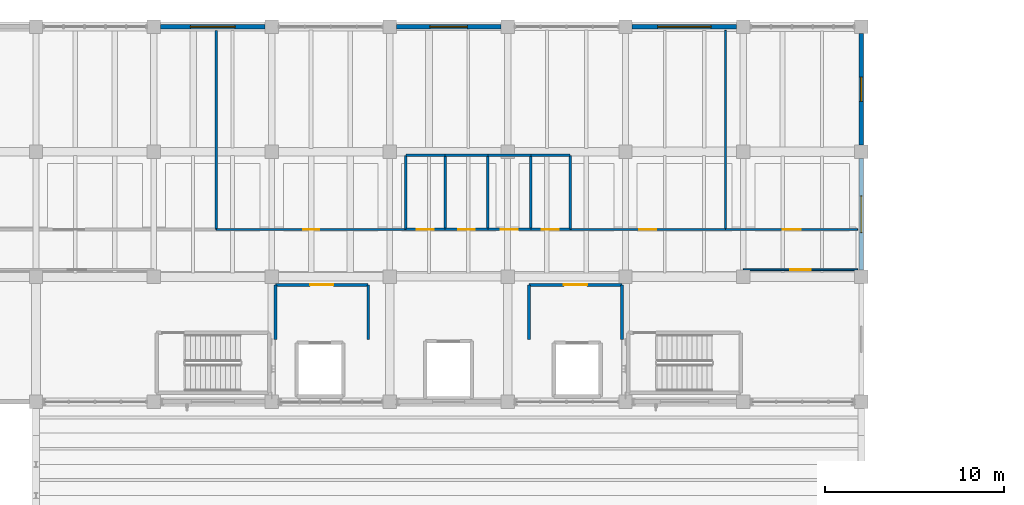
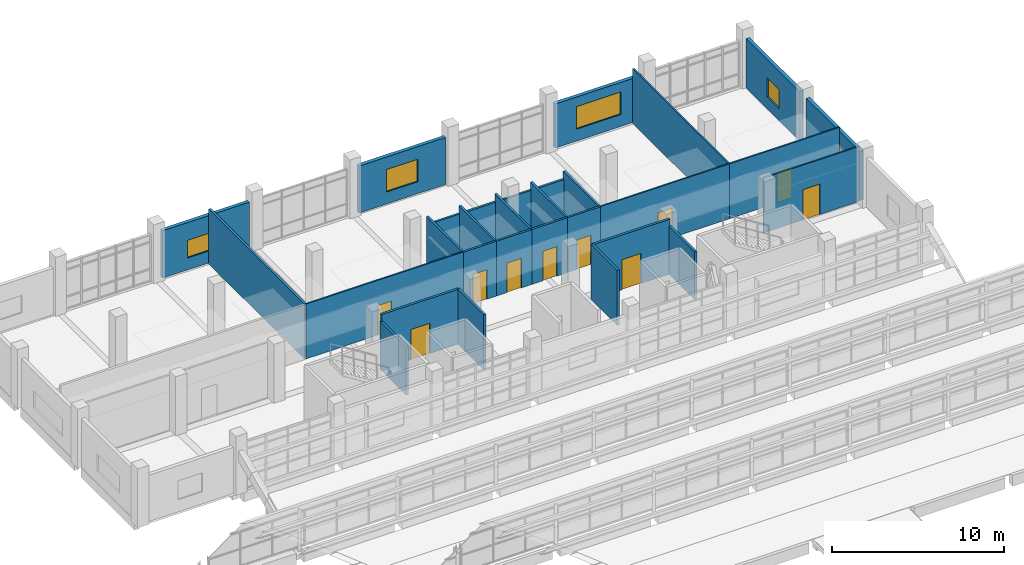
# One storey, part 88 of 92: 30 walls, 10 doors, 5 windows, 15 openings.
"""IFC4 building model written with IfcOpenShell, lengths in metres."""

from ifc_helpers import new_model, si_unit, direction, frame, frame_2d, origin, place, context, subcontext, project, spatial, rectangle, extrude, material, layer, layer_set, type_object, element, fill, save


model = new_model("IFC4")

# Units and contexts
model_context = context("Model", 3, precision=1e-05, world=origin(), true_north=direction((0.0, 1.0)))
body_context = subcontext(model_context, "Body", "Model", "MODEL_VIEW")
ifc_project = project(units=[si_unit("LENGTHUNIT", "METRE"), si_unit("AREAUNIT", "SQUARE_METRE"), si_unit("VOLUMEUNIT", "CUBIC_METRE"), si_unit("PLANEANGLEUNIT", "RADIAN"), si_unit("MASSUNIT", "GRAM", prefix="KILO")], contexts=[model_context])

# Site, building, storey
site_placement = place(None, origin())
site = spatial("IfcSite", under=ifc_project, at=site_placement, CompositionType="ELEMENT")
building_placement = place(site_placement, origin())
building = spatial("IfcBuilding", under=site, at=building_placement, Name="Ciguamira Faculty of Natural Sciences", CompositionType="ELEMENT")
storey_placement = place(building_placement, frame((0.0, 0.0, 16.800048828125)))
storey = spatial("IfcBuildingStorey", under=building, at=storey_placement, Name="L04", CompositionType="ELEMENT", Elevation=16.800048828125)

# Wall, opening, window
ifc_material_1 = material(Name="Precast concrete C40/50", Category="concrete")
ifc_layer_1 = layer(ifc_material_1, 0.239990234375, Name="Precast concrete C40/50")
ifc_layer_set_1 = layer_set([ifc_layer_1], Name="Precast concrete C40/50")
wall_type_1 = type_object("IfcWallType", Name="ExtWall_EW-02_240", PredefinedType="SOLIDWALL", material=ifc_layer_set_1)
wall_1_placement = place(storey_placement, frame((70.875, 115.0, 0.0), z_axis=(0.0, 0.0, 1.0), x_axis=(1.0, 0.0, 0.0)))
wall_1 = element("IfcWall", 1, at=wall_1_placement, inside=storey, type_object=wall_type_1, Name="L04 exterior wall 0322", PredefinedType="SOLIDWALL", context=body_context, shape_type="SweptSolid", body=[
    extrude(rectangle(XDim=5.85009765625, YDim=0.239990234375, at=frame_2d((2.925048828125, 0.0))), origin(), (0.0, 0.0, 1.0), 3.364990234375),
])
opening_1_placement = place(wall_1_placement, frame((1.675048828125, 0.0, 0.85009765625)))
opening_1 = element("IfcOpeningElement", 2, at=opening_1_placement, cuts=wall_1, Name="Opening WT-19", PredefinedType="OPENING", context=body_context, shape_type="SweptSolid", body=[
    extrude(rectangle(XDim=2.5, YDim=1.25, at=frame_2d((1.25, 0.625))), frame((0.0, 0.1298828125, 0.0), z_axis=(0.0, -1.0, 0.0), x_axis=(1.0, 0.0, 0.0)), (0.0, 0.0, 1.0), 0.260009765625),
])
ifc_material_2 = material(Name="Hurricane laminated solar glass", Category="glass")
window_type_1 = type_object("IfcWindowType", Name="Window_WT-19_2500x1250", PartitioningType="DOUBLE_PANEL_VERTICAL", PredefinedType="WINDOW", material=ifc_material_2)
window_1_placement = place(opening_1_placement, origin())
window_1 = element("IfcWindow", 3, at=window_1_placement, inside=storey, type_object=window_type_1, Name="L04 facade window 0216", OverallHeight=1.25, OverallWidth=2.5, PartitioningType="SINGLE_PANEL", PredefinedType="WINDOW", context=body_context, shape_type="SweptSolid", body=[
    extrude(rectangle(XDim=2.5, YDim=1.25, at=frame_2d((1.25, 0.625))), frame((0.0, 0.030029296875, 0.0), z_axis=(0.0, -1.0, 0.0), x_axis=(1.0, 0.0, 0.0)), (0.0, 0.0, 1.0), 0.06005859375),
])
fill(opening_1, window_1)

wall_2_placement = place(storey_placement, frame((84.074951171875, 115.0, 0.0), z_axis=(0.0, 0.0, 1.0), x_axis=(1.0, 0.0, 0.0)))
wall_2 = element("IfcWall", 4, at=wall_2_placement, inside=storey, type_object=wall_type_1, Name="L04 exterior wall 0323", PredefinedType="SOLIDWALL", context=body_context, shape_type="SweptSolid", body=[
    extrude(rectangle(XDim=5.85009765625, YDim=0.239990234375, at=frame_2d((2.925048828125, 0.0))), origin(), (0.0, 0.0, 1.0), 3.344970703125),
])
opening_2_placement = place(wall_2_placement, frame((1.875, 0.0, 0.85009765625)))
opening_2 = element("IfcOpeningElement", 5, at=opening_2_placement, cuts=wall_2, Name="Opening WT-22", PredefinedType="OPENING", context=body_context, shape_type="SweptSolid", body=[
    extrude(rectangle(XDim=2.10009765625, YDim=1.60009765625, at=frame_2d((1.050048828125, 0.800048828125))), frame((0.0, 0.1298828125, 0.0), z_axis=(0.0, -1.0, 0.0), x_axis=(1.0, 0.0, 0.0)), (0.0, 0.0, 1.0), 0.260009765625),
])
window_type_2 = type_object("IfcWindowType", Name="Window_WT-22_2100x1600", PartitioningType="DOUBLE_PANEL_VERTICAL", PredefinedType="WINDOW", material=ifc_material_2)
window_2_placement = place(opening_2_placement, origin())
window_2 = element("IfcWindow", 6, at=window_2_placement, inside=storey, type_object=window_type_2, Name="L04 facade window 0217", OverallHeight=1.60009765625, OverallWidth=2.10009765625, PartitioningType="SINGLE_PANEL", PredefinedType="WINDOW", context=body_context, shape_type="SweptSolid", body=[
    extrude(rectangle(XDim=2.10009765625, YDim=1.60009765625, at=frame_2d((1.050048828125, 0.800048828125))), frame((0.0, 0.030029296875, 0.0), z_axis=(0.0, -1.0, 0.0), x_axis=(1.0, 0.0, 0.0)), (0.0, 0.0, 1.0), 0.06005859375),
])
fill(opening_2, window_2)

wall_3_placement = place(storey_placement, frame((97.27490234375, 115.0, 0.0), z_axis=(0.0, 0.0, 1.0), x_axis=(1.0, 0.0, 0.0)))
wall_3 = element("IfcWall", 7, at=wall_3_placement, inside=storey, type_object=wall_type_1, Name="L04 exterior wall 0324", PredefinedType="SOLIDWALL", context=body_context, shape_type="SweptSolid", body=[
    extrude(rectangle(XDim=5.85009765625, YDim=0.239990234375, at=frame_2d((2.925048828125, 0.0))), origin(), (0.0, 0.0, 1.0), 3.135009765625),
])
opening_3_placement = place(wall_3_placement, frame((1.425048828125, 0.0, 0.85009765625)))
opening_3 = element("IfcOpeningElement", 8, at=opening_3_placement, cuts=wall_3, Name="Opening WT-25", PredefinedType="OPENING", context=body_context, shape_type="SweptSolid", body=[
    extrude(rectangle(XDim=3.0, YDim=1.60009765625, at=frame_2d((1.5, 0.800048828125))), frame((0.0, 0.1298828125, 0.0), z_axis=(0.0, -1.0, 0.0), x_axis=(1.0, 0.0, 0.0)), (0.0, 0.0, 1.0), 0.260009765625),
])
window_type_3 = type_object("IfcWindowType", Name="Window_WT-25_3000x1600", PartitioningType="DOUBLE_PANEL_VERTICAL", PredefinedType="WINDOW", material=ifc_material_2)
window_3_placement = place(opening_3_placement, origin())
window_3 = element("IfcWindow", 9, at=window_3_placement, inside=storey, type_object=window_type_3, Name="L04 facade window 0218", OverallHeight=1.60009765625, OverallWidth=3.0, PartitioningType="SINGLE_PANEL", PredefinedType="WINDOW", context=body_context, shape_type="SweptSolid", body=[
    extrude(rectangle(XDim=3.0, YDim=1.60009765625, at=frame_2d((1.5, 0.800048828125))), frame((0.0, 0.030029296875, 0.0), z_axis=(0.0, -1.0, 0.0), x_axis=(1.0, 0.0, 0.0)), (0.0, 0.0, 1.0), 0.06005859375),
])
fill(opening_3, window_3)

wall_4_placement = place(storey_placement, frame((110.10009765625, 101.375, 0.0), z_axis=(0.0, 0.0, 1.0), x_axis=(0.0, 1.0, 0.0)))
wall_4 = element("IfcWall", 10, at=wall_4_placement, inside=storey, type_object=wall_type_1, Name="L04 exterior wall 0331", PredefinedType="SOLIDWALL", context=body_context, shape_type="SweptSolid", body=[
    extrude(rectangle(XDim=6.25, YDim=0.239990234375, at=frame_2d((3.125, 0.0))), origin(), (0.0, 0.0, 1.0), 3.5048828125),
])
opening_4_placement = place(wall_4_placement, frame((2.10009765625, 0.0, 0.85009765625)))
opening_4 = element("IfcOpeningElement", 11, at=opening_4_placement, cuts=wall_4, Name="Opening WT-40", PredefinedType="OPENING", context=body_context, shape_type="SweptSolid", body=[
    extrude(rectangle(XDim=2.050048828125, YDim=1.550048828125, at=frame_2d((1.02490234375, 0.77490234375))), frame((0.0, 0.1298828125, 0.0), z_axis=(0.0, -1.0, 0.0), x_axis=(1.0, 0.0, 0.0)), (0.0, 0.0, 1.0), 0.260009765625),
])
window_type_4 = type_object("IfcWindowType", Name="Window_WT-40_2050x1550", PartitioningType="DOUBLE_PANEL_VERTICAL", PredefinedType="WINDOW", material=ifc_material_2)
window_4_placement = place(opening_4_placement, origin())
window_4 = element("IfcWindow", 12, at=window_4_placement, inside=storey, type_object=window_type_4, Name="L04 facade window 0223", OverallHeight=1.550048828125, OverallWidth=2.050048828125, PartitioningType="SINGLE_PANEL", PredefinedType="WINDOW", context=body_context, shape_type="SweptSolid", body=[
    extrude(rectangle(XDim=2.050048828125, YDim=1.550048828125, at=frame_2d((1.02490234375, 0.77490234375))), frame((0.0, 0.030029296875, 0.0), z_axis=(0.0, -1.0, 0.0), x_axis=(1.0, 0.0, 0.0)), (0.0, 0.0, 1.0), 0.06005859375),
])
fill(opening_4, window_4)

wall_5_placement = place(storey_placement, frame((110.10009765625, 108.375, 0.0), z_axis=(0.0, 0.0, 1.0), x_axis=(0.0, 1.0, 0.0)))
wall_5 = element("IfcWall", 13, at=wall_5_placement, inside=storey, type_object=wall_type_1, Name="L04 exterior wall 0332", PredefinedType="SOLIDWALL", context=body_context, shape_type="SweptSolid", body=[
    extrude(rectangle(XDim=6.25, YDim=0.239990234375, at=frame_2d((3.125, 0.0))), origin(), (0.0, 0.0, 1.0), 3.5048828125),
])
opening_5_placement = place(wall_5_placement, frame((2.449951171875, 0.0, 0.85009765625)))
opening_5 = element("IfcOpeningElement", 14, at=opening_5_placement, cuts=wall_5, Name="Opening WT-02", PredefinedType="OPENING", context=body_context, shape_type="SweptSolid", body=[
    extrude(rectangle(XDim=1.35009765625, YDim=1.35009765625, at=frame_2d((0.675048828125, 0.675048828125))), frame((0.0, 0.1298828125, 0.0), z_axis=(0.0, -1.0, 0.0), x_axis=(1.0, 0.0, 0.0)), (0.0, 0.0, 1.0), 0.260009765625),
])
window_type_5 = type_object("IfcWindowType", Name="Window_WT-02_1350x1350", PartitioningType="DOUBLE_PANEL_VERTICAL", PredefinedType="WINDOW", material=ifc_material_2)
window_5_placement = place(opening_5_placement, origin())
window_5 = element("IfcWindow", 15, at=window_5_placement, inside=storey, type_object=window_type_5, Name="L04 facade window 0224", OverallHeight=1.35009765625, OverallWidth=1.35009765625, PartitioningType="SINGLE_PANEL", PredefinedType="WINDOW", context=body_context, shape_type="SweptSolid", body=[
    extrude(rectangle(XDim=1.35009765625, YDim=1.35009765625, at=frame_2d((0.675048828125, 0.675048828125))), frame((0.0, 0.030029296875, 0.0), z_axis=(0.0, -1.0, 0.0), x_axis=(1.0, 0.0, 0.0)), (0.0, 0.0, 1.0), 0.06005859375),
])
fill(opening_5, window_5)

# Wall, opening, door
ifc_material_3 = material(Name="Fire-rated gypsum partition")
ifc_layer_2 = layer(ifc_material_3, 0.10009765625, Name="Fire-rated gypsum partition")
ifc_layer_set_2 = layer_set([ifc_layer_2], Name="Fire-rated gypsum partition")
wall_type_2 = type_object("IfcWallType", Name="IntWall_IW-A10_100", PredefinedType="PARTITIONING", material=ifc_layer_set_2)
wall_6_placement = place(storey_placement, frame((74.0, 103.64990234375, 0.0), z_axis=(0.0, 0.0, 1.0), x_axis=(1.0, 0.0, 0.0)))
wall_6 = element("IfcWall", 16, at=wall_6_placement, inside=storey, type_object=wall_type_2, Name="L04 X-Ray Diffraction Instrument Room partition south", PredefinedType="PARTITIONING", context=body_context, shape_type="SweptSolid", body=[
    extrude(rectangle(XDim=10.60009765625, YDim=0.10009765625, at=frame_2d((5.300048828125, 0.0))), origin(), (0.0, 0.0, 1.0), 3.89990234375),
])
opening_6_placement = place(wall_6_placement, frame((4.85009765625, 0.0, 0.0)))
opening_6 = element("IfcOpeningElement", 17, at=opening_6_placement, cuts=wall_6, Name="Opening ID-01", PredefinedType="OPENING", context=body_context, shape_type="SweptSolid", body=[
    extrude(rectangle(XDim=0.89990234375, YDim=2.10009765625, at=frame_2d((0.449951171875, 1.050048828125))), frame((0.0, 0.06005859375, 0.0), z_axis=(0.0, -1.0, 0.0), x_axis=(1.0, 0.0, 0.0)), (0.0, 0.0, 1.0), 0.1201171875),
])
ifc_material_4 = material(Name="Single timber office door", Category="wood")
door_type_1 = type_object("IfcDoorType", Name="IntDoor_ID-01_900x2100", OperationType="NOTDEFINED", PredefinedType="DOOR", material=ifc_material_4)
door_1_placement = place(opening_6_placement, origin())
door_1 = element("IfcDoor", 18, at=door_1_placement, inside=storey, type_object=door_type_1, Name="L04 X-Ray Diffraction Instrument Room door", OperationType="SINGLE_SWING_RIGHT", OverallHeight=2.10009765625, OverallWidth=0.89990234375, PredefinedType="DOOR", context=body_context, shape_type="SweptSolid", body=[
    extrude(rectangle(XDim=0.89990234375, YDim=2.10009765625, at=frame_2d((0.449951171875, 1.050048828125))), frame((0.0, 0.02490234375, 0.0), z_axis=(0.0, -1.0, 0.0), x_axis=(1.0, 0.0, 0.0)), (0.0, 0.0, 1.0), 0.050048828125),
])
fill(opening_6, door_1)

wall_7_placement = place(storey_placement, frame((93.800048828125, 103.64990234375, 0.0), z_axis=(0.0, 0.0, 1.0), x_axis=(1.0, 0.0, 0.0)))
wall_7 = element("IfcWall", 19, at=wall_7_placement, inside=storey, type_object=wall_type_2, Name="L04 Geophysics Modelling Studio partition south", PredefinedType="PARTITIONING", context=body_context, shape_type="SweptSolid", body=[
    extrude(rectangle(XDim=8.699951171875, YDim=0.10009765625, at=frame_2d((4.35009765625, 0.0))), origin(), (0.0, 0.0, 1.0), 3.89990234375),
])
opening_7_placement = place(wall_7_placement, frame((3.875, 0.0, 0.0)))
opening_7 = element("IfcOpeningElement", 20, at=opening_7_placement, cuts=wall_7, Name="Opening ID-02", PredefinedType="OPENING", context=body_context, shape_type="SweptSolid", body=[
    extrude(rectangle(XDim=0.949951171875, YDim=2.10009765625, at=frame_2d((0.47509765625, 1.050048828125))), frame((0.0, 0.06005859375, 0.0), z_axis=(0.0, -1.0, 0.0), x_axis=(1.0, 0.0, 0.0)), (0.0, 0.0, 1.0), 0.1201171875),
])
ifc_material_5 = material(Name="Accessible WC outward-clear door")
door_type_2 = type_object("IfcDoorType", Name="IntDoor_ID-02_950x2100", OperationType="NOTDEFINED", PredefinedType="DOOR", material=ifc_material_5)
door_2_placement = place(opening_7_placement, origin())
door_2 = element("IfcDoor", 21, at=door_2_placement, inside=storey, type_object=door_type_2, Name="L04 Geophysics Modelling Studio door", OperationType="SINGLE_SWING_LEFT", OverallHeight=2.10009765625, OverallWidth=0.949951171875, PredefinedType="DOOR", context=body_context, shape_type="SweptSolid", body=[
    extrude(rectangle(XDim=0.949951171875, YDim=2.10009765625, at=frame_2d((0.47509765625, 1.050048828125))), frame((0.0, 0.02490234375, 0.0), z_axis=(0.0, -1.0, 0.0), x_axis=(1.0, 0.0, 0.0)), (0.0, 0.0, 1.0), 0.050048828125),
])
fill(opening_7, door_2)

# Wall
wall_8_placement = place(storey_placement, frame((102.5, 103.64990234375, 0.0), z_axis=(0.0, 0.0, 1.0), x_axis=(0.0, 1.0, 0.0)))
element("IfcWall", 22, at=wall_8_placement, inside=storey, type_object=wall_type_2, Name="L04 Geophysics Modelling Studio partition east", PredefinedType="PARTITIONING", context=body_context, shape_type="SweptSolid", body=[
    extrude(rectangle(XDim=11.150146484375, YDim=0.10009765625, at=frame_2d((5.5751953125, 0.0))), origin(), (0.0, 0.0, 1.0), 3.89990234375),
])

# Wall, opening, door
wall_9_placement = place(storey_placement, frame((102.5, 103.64990234375, 0.0), z_axis=(0.0, 0.0, 1.0), x_axis=(1.0, 0.0, 0.0)))
wall_9 = element("IfcWall", 23, at=wall_9_placement, inside=storey, type_object=wall_type_2, Name="L04 Earth Sciences Academic Staff Offices partition south", PredefinedType="PARTITIONING", context=body_context, shape_type="SweptSolid", body=[
    extrude(rectangle(XDim=7.39990234375, YDim=0.10009765625, at=frame_2d((3.699951171875, 0.0))), origin(), (0.0, 0.0, 1.0), 3.89990234375),
])
opening_8_placement = place(wall_9_placement, frame((3.199951171875, 0.0, 0.0)))
opening_8 = element("IfcOpeningElement", 24, at=opening_8_placement, cuts=wall_9, Name="Opening ID-03", PredefinedType="OPENING", context=body_context, shape_type="SweptSolid", body=[
    extrude(rectangle(XDim=1.0, YDim=2.10009765625, at=frame_2d((0.5, 1.050048828125))), frame((0.0, 0.06005859375, 0.0), z_axis=(0.0, -1.0, 0.0), x_axis=(1.0, 0.0, 0.0)), (0.0, 0.0, 1.0), 0.1201171875),
])
ifc_material_6 = material(Name="Restroom lobby fire door")
door_type_3 = type_object("IfcDoorType", Name="IntDoor_ID-03_1000x2100", OperationType="NOTDEFINED", PredefinedType="DOOR", material=ifc_material_6)
door_3_placement = place(opening_8_placement, origin())
door_3 = element("IfcDoor", 25, at=door_3_placement, inside=storey, type_object=door_type_3, Name="L04 Earth Sciences Academic Staff Offices door", OperationType="SINGLE_SWING_RIGHT", OverallHeight=2.10009765625, OverallWidth=1.0, PredefinedType="DOOR", context=body_context, shape_type="SweptSolid", body=[
    extrude(rectangle(XDim=1.0, YDim=2.10009765625, at=frame_2d((0.5, 1.050048828125))), frame((0.0, 0.02490234375, 0.0), z_axis=(0.0, -1.0, 0.0), x_axis=(1.0, 0.0, 0.0)), (0.0, 0.0, 1.0), 0.050048828125),
])
fill(opening_8, door_3)

wall_10_placement = place(storey_placement, frame((103.5, 101.39990234375, 0.0), z_axis=(0.0, 0.0, 1.0), x_axis=(1.0, 0.0, 0.0)))
wall_10 = element("IfcWall", 26, at=wall_10_placement, inside=storey, type_object=wall_type_2, Name="L04 Cartographic GIS Office partition north", PredefinedType="PARTITIONING", context=body_context, shape_type="SweptSolid", body=[
    extrude(rectangle(XDim=6.39990234375, YDim=0.10009765625, at=frame_2d((3.199951171875, 0.0))), origin(), (0.0, 0.0, 1.0), 3.89990234375),
])
opening_9_placement = place(wall_10_placement, frame((2.625, 0.0, 0.0)))
opening_9 = element("IfcOpeningElement", 27, at=opening_9_placement, cuts=wall_10, Name="Opening ID-05", PredefinedType="OPENING", context=body_context, shape_type="SweptSolid", body=[
    extrude(rectangle(XDim=1.14990234375, YDim=2.14990234375, at=frame_2d((0.574951171875, 1.074951171875))), frame((0.0, 0.06005859375, 0.0), z_axis=(0.0, -1.0, 0.0), x_axis=(1.0, 0.0, 0.0)), (0.0, 0.0, 1.0), 0.1201171875),
])
ifc_material_7 = material(Name="Research office wide door")
door_type_4 = type_object("IfcDoorType", Name="IntDoor_ID-05_1150x2150", OperationType="NOTDEFINED", PredefinedType="DOOR", material=ifc_material_7)
door_4_placement = place(opening_9_placement, frame((1.14990234375, 0.0, 0.0), z_axis=(0.0, 0.0, 1.0), x_axis=(-1.0, 0.0, 0.0)))
door_4 = element("IfcDoor", 28, at=door_4_placement, inside=storey, type_object=door_type_4, Name="L04 Cartographic GIS Office door", OperationType="SINGLE_SWING_RIGHT", OverallHeight=2.14990234375, OverallWidth=1.14990234375, PredefinedType="DOOR", context=body_context, shape_type="SweptSolid", body=[
    extrude(rectangle(XDim=1.14990234375, YDim=2.14990234375, at=frame_2d((0.574951171875, 1.074951171875))), frame((0.0, 0.02490234375, 0.0), z_axis=(0.0, -1.0, 0.0), x_axis=(1.0, 0.0, 0.0)), (0.0, 0.0, 1.0), 0.050048828125),
])
fill(opening_9, door_4)

ifc_material_8 = material(Name="Fire-rated blockwork wall", Category="masonry")
ifc_layer_3 = layer(ifc_material_8, 0.159912109375, Name="Fire-rated blockwork wall")
ifc_layer_set_3 = layer_set([ifc_layer_3], Name="Fire-rated blockwork wall")
wall_type_3 = type_object("IfcWallType", Name="IntWall_IW-F16_160", PredefinedType="SOLIDWALL", material=ifc_layer_set_3)
wall_11_placement = place(storey_placement, frame((77.300048828125, 100.550048828125, 0.0), z_axis=(0.0, 0.0, 1.0), x_axis=(1.0, 0.0, 0.0)))
wall_11 = element("IfcWall", 29, at=wall_11_placement, inside=storey, type_object=wall_type_3, Name="L04 Firefighting Lift Lobby 1 partition north", PredefinedType="SOLIDWALL", context=body_context, shape_type="SweptSolid", body=[
    extrude(rectangle(XDim=5.199951171875, YDim=0.159912109375, at=frame_2d((2.60009765625, 0.0))), origin(), (0.0, 0.0, 1.0), 3.89990234375),
])
opening_10_placement = place(wall_11_placement, frame((1.949951171875, 0.0, 0.0)))
opening_10 = element("IfcOpeningElement", 30, at=opening_10_placement, cuts=wall_11, Name="Opening ID-15", PredefinedType="OPENING", context=body_context, shape_type="SweptSolid", body=[
    extrude(rectangle(XDim=1.300048828125, YDim=2.14990234375, at=frame_2d((0.64990234375, 1.074951171875))), frame((0.0, 0.08984375, 0.0), z_axis=(0.0, -1.0, 0.0), x_axis=(1.0, 0.0, 0.0)), (0.0, 0.0, 1.0), 0.179931640625),
])
ifc_material_9 = material(Name="Firefighting lift lobby fire door")
door_type_5 = type_object("IfcDoorType", Name="IntDoor_ID-15_1300x2150", OperationType="NOTDEFINED", PredefinedType="DOOR", material=ifc_material_9)
door_5_placement = place(opening_10_placement, frame((1.300048828125, 0.0, 0.0), z_axis=(0.0, 0.0, 1.0), x_axis=(-1.0, 0.0, 0.0)))
door_5 = element("IfcDoor", 31, at=door_5_placement, inside=storey, type_object=door_type_5, Name="L04 Firefighting Lift Lobby 1 door", OperationType="SINGLE_SWING_LEFT", OverallHeight=2.14990234375, OverallWidth=1.300048828125, PredefinedType="DOOR", context=body_context, shape_type="SweptSolid", body=[
    extrude(rectangle(XDim=1.300048828125, YDim=2.14990234375, at=frame_2d((0.64990234375, 1.074951171875))), frame((0.0, 0.02490234375, 0.0), z_axis=(0.0, -1.0, 0.0), x_axis=(1.0, 0.0, 0.0)), (0.0, 0.0, 1.0), 0.050048828125),
])
fill(opening_10, door_5)

# Walls
wall_12_placement = place(storey_placement, frame((77.300048828125, 97.5, 0.0), z_axis=(0.0, 0.0, 1.0), x_axis=(0.0, 1.0, 0.0)))
element("IfcWall", 32, at=wall_12_placement, inside=storey, type_object=wall_type_3, Name="L04 Firefighting Lift Lobby 1 partition west", PredefinedType="SOLIDWALL", context=body_context, shape_type="SweptSolid", body=[
    extrude(rectangle(XDim=3.050048828125, YDim=0.159912109375, at=frame_2d((1.52490234375, 0.0))), origin(), (0.0, 0.0, 1.0), 3.405029296875),
])
wall_13_placement = place(storey_placement, frame((82.5, 97.5, 0.0), z_axis=(0.0, 0.0, 1.0), x_axis=(0.0, 1.0, 0.0)))
element("IfcWall", 33, at=wall_13_placement, inside=storey, type_object=wall_type_3, Name="L04 Firefighting Lift Lobby 1 partition east", PredefinedType="SOLIDWALL", context=body_context, shape_type="SweptSolid", body=[
    extrude(rectangle(XDim=3.050048828125, YDim=0.159912109375, at=frame_2d((1.52490234375, 0.0))), origin(), (0.0, 0.0, 1.0), 3.89990234375),
])

# Wall, opening, door
wall_14_placement = place(storey_placement, frame((91.5, 100.550048828125, 0.0), z_axis=(0.0, 0.0, 1.0), x_axis=(1.0, 0.0, 0.0)))
wall_14 = element("IfcWall", 34, at=wall_14_placement, inside=storey, type_object=wall_type_3, Name="L04 Firefighting Lift Lobby 2 partition north", PredefinedType="SOLIDWALL", context=body_context, shape_type="SweptSolid", body=[
    extrude(rectangle(XDim=5.199951171875, YDim=0.159912109375, at=frame_2d((2.60009765625, 0.0))), origin(), (0.0, 0.0, 1.0), 3.89990234375),
])
opening_11_placement = place(wall_14_placement, frame((1.949951171875, 0.0, 0.0)))
opening_11 = element("IfcOpeningElement", 35, at=opening_11_placement, cuts=wall_14, Name="Opening ID-15", PredefinedType="OPENING", context=body_context, shape_type="SweptSolid", body=[
    extrude(rectangle(XDim=1.300048828125, YDim=2.14990234375, at=frame_2d((0.64990234375, 1.074951171875))), frame((0.0, 0.08984375, 0.0), z_axis=(0.0, -1.0, 0.0), x_axis=(1.0, 0.0, 0.0)), (0.0, 0.0, 1.0), 0.179931640625),
])
door_6_placement = place(opening_11_placement, frame((1.300048828125, 0.0, 0.0), z_axis=(0.0, 0.0, 1.0), x_axis=(-1.0, 0.0, 0.0)))
door_6 = element("IfcDoor", 36, at=door_6_placement, inside=storey, type_object=door_type_5, Name="L04 Firefighting Lift Lobby 2 door", OperationType="SINGLE_SWING_RIGHT", OverallHeight=2.14990234375, OverallWidth=1.300048828125, PredefinedType="DOOR", context=body_context, shape_type="SweptSolid", body=[
    extrude(rectangle(XDim=1.300048828125, YDim=2.14990234375, at=frame_2d((0.64990234375, 1.074951171875))), frame((0.0, 0.02490234375, 0.0), z_axis=(0.0, -1.0, 0.0), x_axis=(1.0, 0.0, 0.0)), (0.0, 0.0, 1.0), 0.050048828125),
])
fill(opening_11, door_6)

# Walls
wall_15_placement = place(storey_placement, frame((91.5, 97.5, 0.0), z_axis=(0.0, 0.0, 1.0), x_axis=(0.0, 1.0, 0.0)))
element("IfcWall", 37, at=wall_15_placement, inside=storey, type_object=wall_type_3, Name="L04 Firefighting Lift Lobby 2 partition west", PredefinedType="SOLIDWALL", context=body_context, shape_type="SweptSolid", body=[
    extrude(rectangle(XDim=3.050048828125, YDim=0.159912109375, at=frame_2d((1.52490234375, 0.0))), origin(), (0.0, 0.0, 1.0), 3.89990234375),
])
wall_16_placement = place(storey_placement, frame((96.699951171875, 97.5, 0.0), z_axis=(0.0, 0.0, 1.0), x_axis=(0.0, 1.0, 0.0)))
element("IfcWall", 38, at=wall_16_placement, inside=storey, type_object=wall_type_3, Name="L04 Firefighting Lift Lobby 2 partition east", PredefinedType="SOLIDWALL", context=body_context, shape_type="SweptSolid", body=[
    extrude(rectangle(XDim=3.050048828125, YDim=0.159912109375, at=frame_2d((1.52490234375, 0.0))), origin(), (0.0, 0.0, 1.0), 3.405029296875),
])
ifc_material_10 = material(Name="Acoustic laboratory corridor partition")
ifc_layer_4 = layer(ifc_material_10, 0.14990234375, Name="Acoustic laboratory corridor partition")
ifc_layer_set_4 = layer_set([ifc_layer_4], Name="Acoustic laboratory corridor partition")
wall_type_4 = type_object("IfcWallType", Name="IntWall_IW-G15_150", PredefinedType="PARTITIONING", material=ifc_layer_set_4)
wall_17_placement = place(storey_placement, frame((74.0, 103.64990234375, 0.0), z_axis=(0.0, 0.0, 1.0), x_axis=(0.0, 1.0, 0.0)))
element("IfcWall", 39, at=wall_17_placement, inside=storey, type_object=wall_type_4, Name="L04 Karst Hydrogeology Research Laboratory partition east", PredefinedType="PARTITIONING", context=body_context, shape_type="SweptSolid", body=[
    extrude(rectangle(XDim=11.150146484375, YDim=0.14990234375, at=frame_2d((5.5751953125, 0.0))), origin(), (0.0, 0.0, 1.0), 3.89990234375),
])

# Wall, opening, door
ifc_material_11 = material(Name="Moisture-resistant service chase wall")
ifc_layer_5 = layer(ifc_material_11, 0.139892578125, Name="Moisture-resistant service chase wall")
ifc_layer_set_5 = layer_set([ifc_layer_5], Name="Moisture-resistant service chase wall")
wall_type_5 = type_object("IfcWallType", Name="IntWall_IW-P14_140", PredefinedType="PLUMBINGWALL", material=ifc_layer_set_5)
wall_18_placement = place(storey_placement, frame((84.60009765625, 103.64990234375, 0.0), z_axis=(0.0, 0.0, 1.0), x_axis=(1.0, 0.0, 0.0)))
wall_18 = element("IfcWall", 40, at=wall_18_placement, inside=storey, type_object=wall_type_5, Name="L04 Accessible WC partition south", PredefinedType="PLUMBINGWALL", context=body_context, shape_type="SweptSolid", body=[
    extrude(rectangle(XDim=2.199951171875, YDim=0.139892578125, at=frame_2d((1.10009765625, 0.0))), origin(), (0.0, 0.0, 1.0), 3.89990234375),
])
opening_12_placement = place(wall_18_placement, frame((0.625, 0.0, 0.0)))
opening_12 = element("IfcOpeningElement", 41, at=opening_12_placement, cuts=wall_18, Name="Opening ID-02", PredefinedType="OPENING", context=body_context, shape_type="SweptSolid", body=[
    extrude(rectangle(XDim=0.949951171875, YDim=2.10009765625, at=frame_2d((0.47509765625, 1.050048828125))), frame((0.0, 0.079833984375, 0.0), z_axis=(0.0, -1.0, 0.0), x_axis=(1.0, 0.0, 0.0)), (0.0, 0.0, 1.0), 0.159912109375),
])
door_7_placement = place(opening_12_placement, origin())
door_7 = element("IfcDoor", 42, at=door_7_placement, inside=storey, type_object=door_type_2, Name="L04 Accessible WC door", OperationType="SINGLE_SWING_LEFT", OverallHeight=2.10009765625, OverallWidth=0.949951171875, PredefinedType="DOOR", context=body_context, shape_type="SweptSolid", body=[
    extrude(rectangle(XDim=0.949951171875, YDim=2.10009765625, at=frame_2d((0.47509765625, 1.050048828125))), frame((0.0, 0.02490234375, 0.0), z_axis=(0.0, -1.0, 0.0), x_axis=(1.0, 0.0, 0.0)), (0.0, 0.0, 1.0), 0.050048828125),
])
fill(opening_12, door_7)

# Walls
wall_19_placement = place(storey_placement, frame((84.60009765625, 107.800048828125, 0.0), z_axis=(0.0, 0.0, 1.0), x_axis=(1.0, 0.0, 0.0)))
element("IfcWall", 43, at=wall_19_placement, inside=storey, type_object=wall_type_5, Name="L04 Accessible WC partition north", PredefinedType="PLUMBINGWALL", context=body_context, shape_type="SweptSolid", body=[
    extrude(rectangle(XDim=2.199951171875, YDim=0.139892578125, at=frame_2d((1.10009765625, 0.0))), origin(), (0.0, 0.0, 1.0), 3.344970703125),
])
for number, where, z_axis, x_axis, name in (
    (44, (84.60009765625, 103.64990234375, 0.0), (0.0, 0.0, 1.0), (0.0, 1.0, 0.0), "L04 Accessible WC partition west"),
    (45, (86.800048828125, 103.64990234375, 0.0), (0.0, 0.0, 1.0), (0.0, 1.0, 0.0), "L04 Accessible WC partition east"),
):
    element("IfcWall", number, at=place(storey_placement, frame(where, z_axis=z_axis, x_axis=x_axis)), inside=storey, type_object=wall_type_5, Name=name, PredefinedType="PLUMBINGWALL", context=body_context, shape_type="SweptSolid", body=[
        extrude(rectangle(XDim=4.150146484375, YDim=0.139892578125, at=frame_2d((2.0751953125, 0.0))), origin(), (0.0, 0.0, 1.0), 3.89990234375),
    ])

# Wall, opening, door
wall_20_placement = place(storey_placement, frame((86.800048828125, 103.64990234375, 0.0), z_axis=(0.0, 0.0, 1.0), x_axis=(1.0, 0.0, 0.0)))
wall_20 = element("IfcWall", 46, at=wall_20_placement, inside=storey, type_object=wall_type_5, Name="L04 Public Restroom Female partition south", PredefinedType="PLUMBINGWALL", context=body_context, shape_type="SweptSolid", body=[
    extrude(rectangle(XDim=2.39990234375, YDim=0.139892578125, at=frame_2d((1.199951171875, 0.0))), origin(), (0.0, 0.0, 1.0), 3.89990234375),
])
opening_13_placement = place(wall_20_placement, frame((0.72509765625, 0.0, 0.0)))
opening_13 = element("IfcOpeningElement", 47, at=opening_13_placement, cuts=wall_20, Name="Opening ID-02", PredefinedType="OPENING", context=body_context, shape_type="SweptSolid", body=[
    extrude(rectangle(XDim=0.949951171875, YDim=2.10009765625, at=frame_2d((0.47509765625, 1.050048828125))), frame((0.0, 0.079833984375, 0.0), z_axis=(0.0, -1.0, 0.0), x_axis=(1.0, 0.0, 0.0)), (0.0, 0.0, 1.0), 0.159912109375),
])
door_8_placement = place(opening_13_placement, origin())
door_8 = element("IfcDoor", 48, at=door_8_placement, inside=storey, type_object=door_type_2, Name="L04 Public Restroom Female door", OperationType="SINGLE_SWING_RIGHT", OverallHeight=2.10009765625, OverallWidth=0.949951171875, PredefinedType="DOOR", context=body_context, shape_type="SweptSolid", body=[
    extrude(rectangle(XDim=0.949951171875, YDim=2.10009765625, at=frame_2d((0.47509765625, 1.050048828125))), frame((0.0, 0.02490234375, 0.0), z_axis=(0.0, -1.0, 0.0), x_axis=(1.0, 0.0, 0.0)), (0.0, 0.0, 1.0), 0.050048828125),
])
fill(opening_13, door_8)

# Walls
wall_21_placement = place(storey_placement, frame((86.800048828125, 107.800048828125, 0.0), z_axis=(0.0, 0.0, 1.0), x_axis=(1.0, 0.0, 0.0)))
element("IfcWall", 49, at=wall_21_placement, inside=storey, type_object=wall_type_5, Name="L04 Public Restroom Female partition north", PredefinedType="PLUMBINGWALL", context=body_context, shape_type="SweptSolid", body=[
    extrude(rectangle(XDim=2.39990234375, YDim=0.139892578125, at=frame_2d((1.199951171875, 0.0))), origin(), (0.0, 0.0, 1.0), 3.344970703125),
])
wall_22_placement = place(storey_placement, frame((89.199951171875, 103.64990234375, 0.0), z_axis=(0.0, 0.0, 1.0), x_axis=(0.0, 1.0, 0.0)))
element("IfcWall", 50, at=wall_22_placement, inside=storey, type_object=wall_type_5, Name="L04 Public Restroom Female partition east", PredefinedType="PLUMBINGWALL", context=body_context, shape_type="SweptSolid", body=[
    extrude(rectangle(XDim=4.150146484375, YDim=0.139892578125, at=frame_2d((2.0751953125, 0.0))), origin(), (0.0, 0.0, 1.0), 3.89990234375),
])

# Wall, opening, door
wall_23_placement = place(storey_placement, frame((89.199951171875, 103.64990234375, 0.0), z_axis=(0.0, 0.0, 1.0), x_axis=(1.0, 0.0, 0.0)))
wall_23 = element("IfcWall", 51, at=wall_23_placement, inside=storey, type_object=wall_type_5, Name="L04 Public Restroom Male partition south", PredefinedType="PLUMBINGWALL", context=body_context, shape_type="SweptSolid", body=[
    extrude(rectangle(XDim=2.400146484375, YDim=0.139892578125, at=frame_2d((1.2001953125, 0.0))), origin(), (0.0, 0.0, 1.0), 3.89990234375),
])
opening_14_placement = place(wall_23_placement, frame((0.72509765625, 0.0, 0.0)))
opening_14 = element("IfcOpeningElement", 52, at=opening_14_placement, cuts=wall_23, Name="Opening ID-02", PredefinedType="OPENING", context=body_context, shape_type="SweptSolid", body=[
    extrude(rectangle(XDim=0.949951171875, YDim=2.10009765625, at=frame_2d((0.47509765625, 1.050048828125))), frame((0.0, 0.079833984375, 0.0), z_axis=(0.0, -1.0, 0.0), x_axis=(1.0, 0.0, 0.0)), (0.0, 0.0, 1.0), 0.159912109375),
])
door_9_placement = place(opening_14_placement, origin())
door_9 = element("IfcDoor", 53, at=door_9_placement, inside=storey, type_object=door_type_2, Name="L04 Public Restroom Male door", OperationType="SINGLE_SWING_LEFT", OverallHeight=2.10009765625, OverallWidth=0.949951171875, PredefinedType="DOOR", context=body_context, shape_type="SweptSolid", body=[
    extrude(rectangle(XDim=0.949951171875, YDim=2.10009765625, at=frame_2d((0.47509765625, 1.050048828125))), frame((0.0, 0.02490234375, 0.0), z_axis=(0.0, -1.0, 0.0), x_axis=(1.0, 0.0, 0.0)), (0.0, 0.0, 1.0), 0.050048828125),
])
fill(opening_14, door_9)

# Walls
wall_24_placement = place(storey_placement, frame((89.199951171875, 107.800048828125, 0.0), z_axis=(0.0, 0.0, 1.0), x_axis=(1.0, 0.0, 0.0)))
element("IfcWall", 54, at=wall_24_placement, inside=storey, type_object=wall_type_5, Name="L04 Public Restroom Male partition north", PredefinedType="PLUMBINGWALL", context=body_context, shape_type="SweptSolid", body=[
    extrude(rectangle(XDim=2.400146484375, YDim=0.139892578125, at=frame_2d((1.2001953125, 0.0))), origin(), (0.0, 0.0, 1.0), 3.344970703125),
])
wall_25_placement = place(storey_placement, frame((91.60009765625, 103.64990234375, 0.0), z_axis=(0.0, 0.0, 1.0), x_axis=(0.0, 1.0, 0.0)))
element("IfcWall", 55, at=wall_25_placement, inside=storey, type_object=wall_type_5, Name="L04 Public Restroom Male partition east", PredefinedType="PLUMBINGWALL", context=body_context, shape_type="SweptSolid", body=[
    extrude(rectangle(XDim=4.150146484375, YDim=0.139892578125, at=frame_2d((2.0751953125, 0.0))), origin(), (0.0, 0.0, 1.0), 3.89990234375),
])

# Wall, opening, door
wall_26_placement = place(storey_placement, frame((91.60009765625, 103.64990234375, 0.0), z_axis=(0.0, 0.0, 1.0), x_axis=(1.0, 0.0, 0.0)))
wall_26 = element("IfcWall", 56, at=wall_26_placement, inside=storey, type_object=wall_type_5, Name="L04 Staff Restroom partition south", PredefinedType="PLUMBINGWALL", context=body_context, shape_type="SweptSolid", body=[
    extrude(rectangle(XDim=2.199951171875, YDim=0.139892578125, at=frame_2d((1.10009765625, 0.0))), origin(), (0.0, 0.0, 1.0), 3.89990234375),
])
opening_15_placement = place(wall_26_placement, frame((0.625, 0.0, 0.0)))
opening_15 = element("IfcOpeningElement", 57, at=opening_15_placement, cuts=wall_26, Name="Opening ID-02", PredefinedType="OPENING", context=body_context, shape_type="SweptSolid", body=[
    extrude(rectangle(XDim=0.949951171875, YDim=2.10009765625, at=frame_2d((0.47509765625, 1.050048828125))), frame((0.0, 0.079833984375, 0.0), z_axis=(0.0, -1.0, 0.0), x_axis=(1.0, 0.0, 0.0)), (0.0, 0.0, 1.0), 0.159912109375),
])
door_10_placement = place(opening_15_placement, origin())
door_10 = element("IfcDoor", 58, at=door_10_placement, inside=storey, type_object=door_type_2, Name="L04 Staff Restroom door", OperationType="SINGLE_SWING_RIGHT", OverallHeight=2.10009765625, OverallWidth=0.949951171875, PredefinedType="DOOR", context=body_context, shape_type="SweptSolid", body=[
    extrude(rectangle(XDim=0.949951171875, YDim=2.10009765625, at=frame_2d((0.47509765625, 1.050048828125))), frame((0.0, 0.02490234375, 0.0), z_axis=(0.0, -1.0, 0.0), x_axis=(1.0, 0.0, 0.0)), (0.0, 0.0, 1.0), 0.050048828125),
])
fill(opening_15, door_10)

# Walls
wall_27_placement = place(storey_placement, frame((91.60009765625, 107.800048828125, 0.0), z_axis=(0.0, 0.0, 1.0), x_axis=(1.0, 0.0, 0.0)))
element("IfcWall", 59, at=wall_27_placement, inside=storey, type_object=wall_type_5, Name="L04 Staff Restroom partition north", PredefinedType="PLUMBINGWALL", context=body_context, shape_type="SweptSolid", body=[
    extrude(rectangle(XDim=2.199951171875, YDim=0.139892578125, at=frame_2d((1.10009765625, 0.0))), origin(), (0.0, 0.0, 1.0), 3.344970703125),
])
wall_28_placement = place(storey_placement, frame((93.800048828125, 103.64990234375, 0.0), z_axis=(0.0, 0.0, 1.0), x_axis=(0.0, 1.0, 0.0)))
element("IfcWall", 60, at=wall_28_placement, inside=storey, type_object=wall_type_5, Name="L04 Staff Restroom partition east", PredefinedType="PLUMBINGWALL", context=body_context, shape_type="SweptSolid", body=[
    extrude(rectangle(XDim=4.150146484375, YDim=0.139892578125, at=frame_2d((2.0751953125, 0.0))), origin(), (0.0, 0.0, 1.0), 3.89990234375),
])

save(model, "model.ifc")
